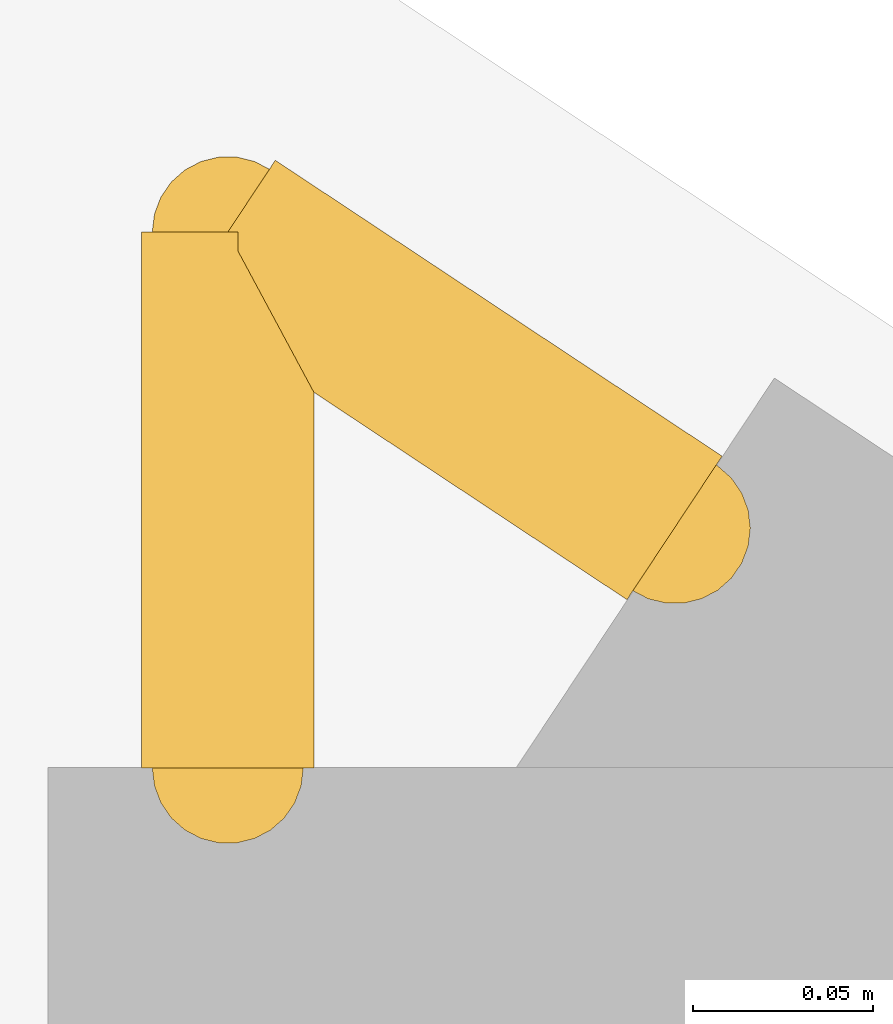
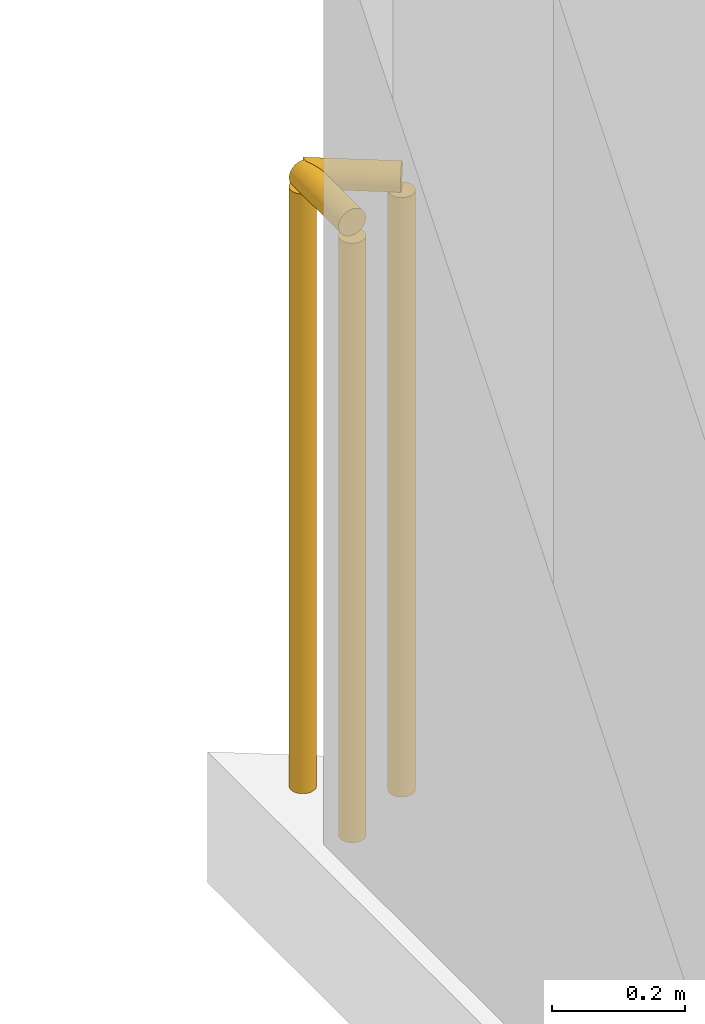
# One storey, part 17 of 18: 2 railings.
"""IFC4 building model written with IfcOpenShell, lengths in metres."""

from ifc_helpers import new_model, si_unit, direction, frame, origin, origin_2d, place, context, subcontext, project, spatial, circle, extrude, material, type_object, element, save


model = new_model("IFC4")

# Units and contexts
model_context = context("Model", 3, precision=1e-05, world=origin(), true_north=direction((0.0, 1.0)))
body_context = subcontext(model_context, "Body", "Model", "MODEL_VIEW")
ifc_project = project(units=[si_unit("LENGTHUNIT", "METRE"), si_unit("AREAUNIT", "SQUARE_METRE"), si_unit("VOLUMEUNIT", "CUBIC_METRE"), si_unit("PLANEANGLEUNIT", "RADIAN"), si_unit("MASSUNIT", "GRAM", prefix="KILO")], contexts=[model_context])

# Site, building, storey
site_placement = place(None, origin())
site = spatial("IfcSite", under=ifc_project, at=site_placement, CompositionType="ELEMENT")
building_placement = place(site_placement, origin())
building = spatial("IfcBuilding", under=site, at=building_placement, Name="Varnakote Quay Hospital", CompositionType="ELEMENT")
storey_placement = place(building_placement, frame((0.0, 0.0, 138.89990234375)))
storey = spatial("IfcBuildingStorey", under=building, at=storey_placement, Name="L34", CompositionType="ELEMENT", Elevation=138.89990234375)

# Railings
ifc_material = material(Name="Anodised aluminium 6063-T6 Bronze", Category="aluminium")
railing_type = type_object("IfcRailingType", Name="RLG-EXT-GUARD-1150", PredefinedType="GUARDRAIL", material=ifc_material)
railing_1_placement = place(storey_placement, frame((2.679931640625, 43.10205078125, 0.0)))
element("IfcRailing", 1, at=railing_1_placement, inside=storey, type_object=railing_type, Name="L34 Slab Edge Perimeter Safety Guard", PredefinedType="GUARDRAIL", context=body_context, shape_type="SweptSolid", body=[
    extrude(circle(Radius=0.02392578125, at=origin_2d()), frame((0.0, 0.0, 1.1259765625), z_axis=(0.0, 1.0, 0.0), x_axis=(-1.0, 0.0, 0.0)), (0.0, 0.0, 1.0), 0.14892578125),
    extrude(circle(Radius=0.02099609375, at=origin_2d()), origin(), (0.0, 0.0, 1.0), 1.101806640625),
    extrude(circle(Radius=0.02099609375, at=origin_2d()), frame((0.0, 0.14892578125, 0.0)), (0.0, 0.0, 1.0), 1.101806640625),
])
railing_2_placement = place(storey_placement, frame((2.679931640625, 43.2509765625, 0.0)))
element("IfcRailing", 2, at=railing_2_placement, inside=storey, type_object=railing_type, Name="L34 Slab Edge Perimeter Safety Guard", PredefinedType="GUARDRAIL", context=body_context, shape_type="SweptSolid", body=[
    extrude(circle(Radius=0.02392578125, at=origin_2d()), frame((0.0, 0.0, 1.1259765625), z_axis=(0.833810230731, -0.552051174374, 0.0), x_axis=(0.552051174374, 0.833810230731, 0.0)), (0.0, 0.0, 1.0), 0.14892578125),
    extrude(circle(Radius=0.02099609375, at=origin_2d()), origin(), (0.0, 0.0, 1.0), 1.101806640625),
    extrude(circle(Radius=0.02099609375, at=origin_2d()), frame((0.124267578125, -0.082275390625, 0.0)), (0.0, 0.0, 1.0), 1.101806640625),
])

save(model, "model.ifc")
